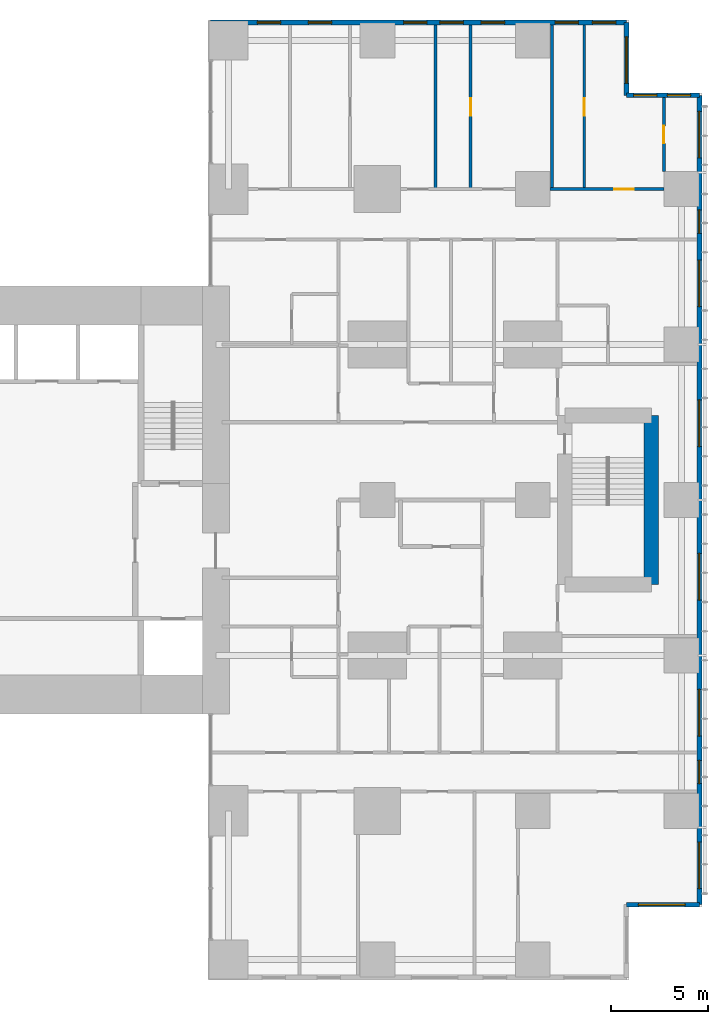
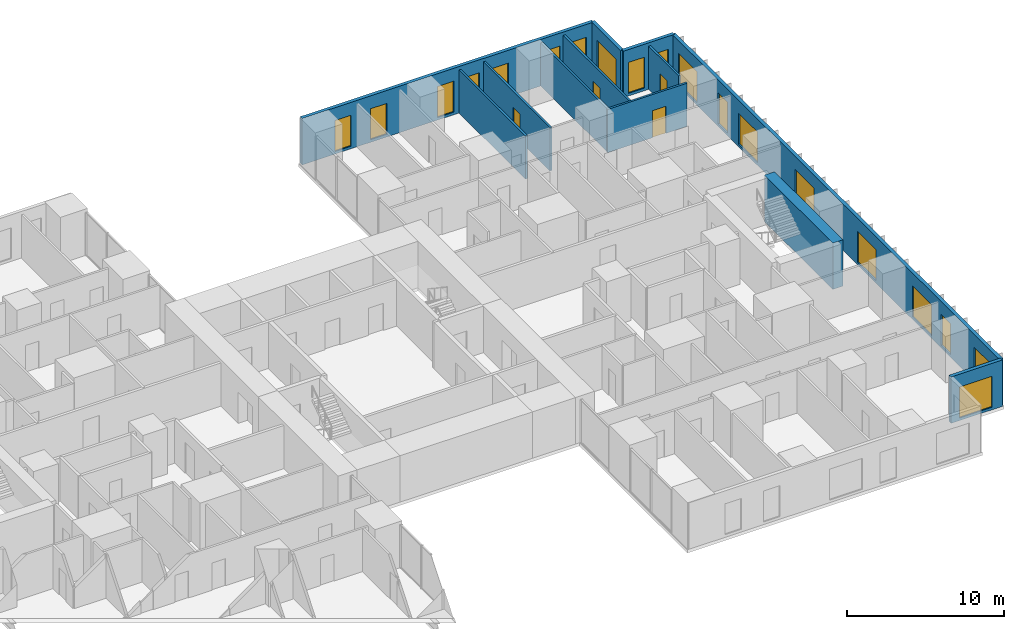
# One storey, part 18 of 20: 19 windows, 12 walls, 4 doors, 23 openings.
"""IFC4 building model written with IfcOpenShell, lengths in metres."""

from ifc_helpers import new_model, si_unit, direction, frame, frame_2d, origin, place, context, subcontext, project, spatial, rectangle, extrude, material, layer, layer_set, type_object, element, fill, save


model = new_model("IFC4")

# Units and contexts
model_context = context("Model", 3, precision=1e-05, world=origin(), true_north=direction((0.0, 1.0)))
body_context = subcontext(model_context, "Body", "Model", "MODEL_VIEW")
ifc_project = project(units=[si_unit("LENGTHUNIT", "METRE"), si_unit("AREAUNIT", "SQUARE_METRE"), si_unit("VOLUMEUNIT", "CUBIC_METRE"), si_unit("PLANEANGLEUNIT", "RADIAN"), si_unit("MASSUNIT", "GRAM", prefix="KILO")], contexts=[model_context])

# Site, building, storey
site_placement = place(None, origin())
site = spatial("IfcSite", under=ifc_project, at=site_placement, CompositionType="ELEMENT")
building_placement = place(site_placement, origin())
building = spatial("IfcBuilding", under=site, at=building_placement, Name="Cleftline Residences", CompositionType="ELEMENT")
storey_placement = place(building_placement, frame((0.0, 0.0, 211.0)))
storey = spatial("IfcBuildingStorey", under=building, at=storey_placement, Name="L55", CompositionType="ELEMENT", Elevation=211.0)

# Wall, opening, window
ifc_material_1 = material(Name="Rendered reinforced concrete blockwork", Category="masonry")
ifc_layer_1 = layer(ifc_material_1, 0.25)
ifc_layer_set_1 = layer_set([ifc_layer_1], Name="EXTERNAL WALL 250")
wall_type_1 = type_object("IfcWallType", Name="EXTERNAL WALL 250", PredefinedType="SOLIDWALL", material=ifc_layer_set_1)
wall_1_placement = place(storey_placement, frame((62.824951171875, 3.175048828125, 0.0), z_axis=(0.0, 0.0, 1.0), x_axis=(1.0, 0.0, 0.0)))
wall_1 = element("IfcWall", 1, at=wall_1_placement, inside=storey, type_object=wall_type_1, Name="External wall", PredefinedType="SOLIDWALL", context=body_context, shape_type="SweptSolid", body=[
    extrude(rectangle(XDim=3.75, YDim=0.25, at=frame_2d((1.875, 0.0))), origin(), (0.0, 0.0, 1.0), 3.60009765625),
])
opening_1_placement = place(wall_1_placement, frame((0.612548828125, 0.0, 0.199951171875)))
opening_1 = element("IfcOpeningElement", 2, at=opening_1_placement, cuts=wall_1, Name="Opening W9", PredefinedType="OPENING", context=body_context, shape_type="SweptSolid", body=[
    extrude(rectangle(XDim=2.39990234375, YDim=2.39990234375, at=frame_2d((1.199951171875, 1.199951171875))), frame((0.0, 0.135009765625, 0.0), z_axis=(0.0, -1.0, 0.0), x_axis=(1.0, 0.0, 0.0)), (0.0, 0.0, 1.0), 0.27001953125),
])
ifc_material_2 = material(Name="Aluminium frame, clear double glazing", Category="aluminium")
window_type_1 = type_object("IfcWindowType", Name="WINDOW 2400X2400", PartitioningType="DOUBLE_PANEL_VERTICAL", PredefinedType="WINDOW", material=ifc_material_2)
window_1_placement = place(opening_1_placement, origin())
window_1 = element("IfcWindow", 3, at=window_1_placement, inside=storey, type_object=window_type_1, Name="Window", OverallHeight=2.39990234375, OverallWidth=2.39990234375, PartitioningType="SINGLE_PANEL", PredefinedType="WINDOW", context=body_context, shape_type="SweptSolid", body=[
    extrude(rectangle(XDim=2.39990234375, YDim=2.39990234375, at=frame_2d((1.199951171875, 1.199951171875))), frame((0.0, 0.030029296875, 0.0), z_axis=(0.0, -1.0, 0.0), x_axis=(1.0, 0.0, 0.0)), (0.0, 0.0, 1.0), 0.06005859375),
])
fill(opening_1, window_1)

# Wall, openings, windows
wall_2_placement = place(storey_placement, frame((66.574951171875, 3.175048828125, 0.0), z_axis=(0.0, 0.0, 1.0), x_axis=(0.0, 1.0, 0.0)))
wall_2 = element("IfcWall", 4, at=wall_2_placement, inside=storey, type_object=wall_type_1, Name="External wall", PredefinedType="SOLIDWALL", context=body_context, shape_type="SweptSolid", body=[
    extrude(rectangle(XDim=41.64990234375, YDim=0.25, at=frame_2d((20.824951171875, 0.0))), origin(), (0.0, 0.0, 1.0), 3.60009765625),
])
opening_2_placement = place(wall_2_placement, frame((0.824951171875, 0.0, 0.199951171875)))
opening_2 = element("IfcOpeningElement", 5, at=opening_2_placement, cuts=wall_2, Name="Opening W9", PredefinedType="OPENING", context=body_context, shape_type="SweptSolid", body=[
    extrude(rectangle(XDim=2.39990234375, YDim=2.39990234375, at=frame_2d((1.199951171875, 1.199951171875))), frame((0.0, 0.135009765625, 0.0), z_axis=(0.0, -1.0, 0.0), x_axis=(1.0, 0.0, 0.0)), (0.0, 0.0, 1.0), 0.27001953125),
])
opening_3_placement = place(wall_2_placement, frame((6.22509765625, 0.0, 0.199951171875)))
opening_3 = element("IfcOpeningElement", 6, at=opening_3_placement, cuts=wall_2, Name="Opening W13", PredefinedType="OPENING", context=body_context, shape_type="SweptSolid", body=[
    extrude(rectangle(XDim=1.199951171875, YDim=2.39990234375, at=frame_2d((0.60009765625, 1.199951171875))), frame((0.0, 0.135009765625, 0.0), z_axis=(0.0, -1.0, 0.0), x_axis=(1.0, 0.0, 0.0)), (0.0, 0.0, 1.0), 0.27001953125),
])
opening_4_placement = place(wall_2_placement, frame((8.675048828125, 0.0, 0.199951171875)))
opening_4 = element("IfcOpeningElement", 7, at=opening_4_placement, cuts=wall_2, Name="Opening W9", PredefinedType="OPENING", context=body_context, shape_type="SweptSolid", body=[
    extrude(rectangle(XDim=2.39990234375, YDim=2.39990234375, at=frame_2d((1.199951171875, 1.199951171875))), frame((0.0, 0.135009765625, 0.0), z_axis=(0.0, -1.0, 0.0), x_axis=(1.0, 0.0, 0.0)), (0.0, 0.0, 1.0), 0.27001953125),
])
opening_5_placement = place(wall_2_placement, frame((15.675048828125, 0.0, 0.199951171875)))
opening_5 = element("IfcOpeningElement", 8, at=opening_5_placement, cuts=wall_2, Name="Opening W9", PredefinedType="OPENING", context=body_context, shape_type="SweptSolid", body=[
    extrude(rectangle(XDim=2.39990234375, YDim=2.39990234375, at=frame_2d((1.199951171875, 1.199951171875))), frame((0.0, 0.135009765625, 0.0), z_axis=(0.0, -1.0, 0.0), x_axis=(1.0, 0.0, 0.0)), (0.0, 0.0, 1.0), 0.27001953125),
])
opening_6_placement = place(wall_2_placement, frame((23.574951171875, 0.0, 0.199951171875)))
opening_6 = element("IfcOpeningElement", 9, at=opening_6_placement, cuts=wall_2, Name="Opening W9", PredefinedType="OPENING", context=body_context, shape_type="SweptSolid", body=[
    extrude(rectangle(XDim=2.39990234375, YDim=2.39990234375, at=frame_2d((1.199951171875, 1.199951171875))), frame((0.0, 0.135009765625, 0.0), z_axis=(0.0, -1.0, 0.0), x_axis=(1.0, 0.0, 0.0)), (0.0, 0.0, 1.0), 0.27001953125),
])
opening_7_placement = place(wall_2_placement, frame((30.77490234375, 0.0, 0.199951171875)))
opening_7 = element("IfcOpeningElement", 10, at=opening_7_placement, cuts=wall_2, Name="Opening W9", PredefinedType="OPENING", context=body_context, shape_type="SweptSolid", body=[
    extrude(rectangle(XDim=2.39990234375, YDim=2.39990234375, at=frame_2d((1.199951171875, 1.199951171875))), frame((0.0, 0.135009765625, 0.0), z_axis=(0.0, -1.0, 0.0), x_axis=(1.0, 0.0, 0.0)), (0.0, 0.0, 1.0), 0.27001953125),
])
opening_8_placement = place(wall_2_placement, frame((34.550048828125, 0.0, 0.199951171875)))
opening_8 = element("IfcOpeningElement", 11, at=opening_8_placement, cuts=wall_2, Name="Opening W13", PredefinedType="OPENING", context=body_context, shape_type="SweptSolid", body=[
    extrude(rectangle(XDim=1.199951171875, YDim=2.39990234375, at=frame_2d((0.60009765625, 1.199951171875))), frame((0.0, 0.135009765625, 0.0), z_axis=(0.0, -1.0, 0.0), x_axis=(1.0, 0.0, 0.0)), (0.0, 0.0, 1.0), 0.27001953125),
])
opening_9_placement = place(wall_2_placement, frame((38.425048828125, 0.0, 0.199951171875)))
opening_9 = element("IfcOpeningElement", 12, at=opening_9_placement, cuts=wall_2, Name="Opening W9", PredefinedType="OPENING", context=body_context, shape_type="SweptSolid", body=[
    extrude(rectangle(XDim=2.39990234375, YDim=2.39990234375, at=frame_2d((1.199951171875, 1.199951171875))), frame((0.0, 0.135009765625, 0.0), z_axis=(0.0, -1.0, 0.0), x_axis=(1.0, 0.0, 0.0)), (0.0, 0.0, 1.0), 0.27001953125),
])
ifc_material_3 = material(Name="Aluminium frame, clear double glazing", Category="aluminium")
window_type_2 = type_object("IfcWindowType", Name="WINDOW 1200X2400", PartitioningType="DOUBLE_PANEL_VERTICAL", PredefinedType="WINDOW", material=ifc_material_3)
window_2_placement = place(opening_3_placement, origin())
window_2 = element("IfcWindow", 13, at=window_2_placement, inside=storey, type_object=window_type_2, Name="Window", OverallHeight=2.39990234375, OverallWidth=1.199951171875, PartitioningType="SINGLE_PANEL", PredefinedType="WINDOW", context=body_context, shape_type="SweptSolid", body=[
    extrude(rectangle(XDim=1.199951171875, YDim=2.39990234375, at=frame_2d((0.60009765625, 1.199951171875))), frame((0.0, 0.030029296875, 0.0), z_axis=(0.0, -1.0, 0.0), x_axis=(1.0, 0.0, 0.0)), (0.0, 0.0, 1.0), 0.06005859375),
])
fill(opening_3, window_2)
window_3_placement = place(opening_8_placement, origin())
window_3 = element("IfcWindow", 14, at=window_3_placement, inside=storey, type_object=window_type_2, Name="Window", OverallHeight=2.39990234375, OverallWidth=1.199951171875, PartitioningType="SINGLE_PANEL", PredefinedType="WINDOW", context=body_context, shape_type="SweptSolid", body=[
    extrude(rectangle(XDim=1.199951171875, YDim=2.39990234375, at=frame_2d((0.60009765625, 1.199951171875))), frame((0.0, 0.030029296875, 0.0), z_axis=(0.0, -1.0, 0.0), x_axis=(1.0, 0.0, 0.0)), (0.0, 0.0, 1.0), 0.06005859375),
])
fill(opening_8, window_3)
window_4_placement = place(opening_2_placement, origin())
window_4 = element("IfcWindow", 15, at=window_4_placement, inside=storey, type_object=window_type_1, Name="Window", OverallHeight=2.39990234375, OverallWidth=2.39990234375, PartitioningType="SINGLE_PANEL", PredefinedType="WINDOW", context=body_context, shape_type="SweptSolid", body=[
    extrude(rectangle(XDim=2.39990234375, YDim=2.39990234375, at=frame_2d((1.199951171875, 1.199951171875))), frame((0.0, 0.030029296875, 0.0), z_axis=(0.0, -1.0, 0.0), x_axis=(1.0, 0.0, 0.0)), (0.0, 0.0, 1.0), 0.06005859375),
])
fill(opening_2, window_4)
window_5_placement = place(opening_4_placement, origin())
window_5 = element("IfcWindow", 16, at=window_5_placement, inside=storey, type_object=window_type_1, Name="Window", OverallHeight=2.39990234375, OverallWidth=2.39990234375, PartitioningType="SINGLE_PANEL", PredefinedType="WINDOW", context=body_context, shape_type="SweptSolid", body=[
    extrude(rectangle(XDim=2.39990234375, YDim=2.39990234375, at=frame_2d((1.199951171875, 1.199951171875))), frame((0.0, 0.030029296875, 0.0), z_axis=(0.0, -1.0, 0.0), x_axis=(1.0, 0.0, 0.0)), (0.0, 0.0, 1.0), 0.06005859375),
])
fill(opening_4, window_5)
window_6_placement = place(opening_5_placement, origin())
window_6 = element("IfcWindow", 17, at=window_6_placement, inside=storey, type_object=window_type_1, Name="Window", OverallHeight=2.39990234375, OverallWidth=2.39990234375, PartitioningType="SINGLE_PANEL", PredefinedType="WINDOW", context=body_context, shape_type="SweptSolid", body=[
    extrude(rectangle(XDim=2.39990234375, YDim=2.39990234375, at=frame_2d((1.199951171875, 1.199951171875))), frame((0.0, 0.030029296875, 0.0), z_axis=(0.0, -1.0, 0.0), x_axis=(1.0, 0.0, 0.0)), (0.0, 0.0, 1.0), 0.06005859375),
])
fill(opening_5, window_6)
window_7_placement = place(opening_6_placement, origin())
window_7 = element("IfcWindow", 18, at=window_7_placement, inside=storey, type_object=window_type_1, Name="Window", OverallHeight=2.39990234375, OverallWidth=2.39990234375, PartitioningType="SINGLE_PANEL", PredefinedType="WINDOW", context=body_context, shape_type="SweptSolid", body=[
    extrude(rectangle(XDim=2.39990234375, YDim=2.39990234375, at=frame_2d((1.199951171875, 1.199951171875))), frame((0.0, 0.030029296875, 0.0), z_axis=(0.0, -1.0, 0.0), x_axis=(1.0, 0.0, 0.0)), (0.0, 0.0, 1.0), 0.06005859375),
])
fill(opening_6, window_7)
window_8_placement = place(opening_7_placement, origin())
window_8 = element("IfcWindow", 19, at=window_8_placement, inside=storey, type_object=window_type_1, Name="Window", OverallHeight=2.39990234375, OverallWidth=2.39990234375, PartitioningType="SINGLE_PANEL", PredefinedType="WINDOW", context=body_context, shape_type="SweptSolid", body=[
    extrude(rectangle(XDim=2.39990234375, YDim=2.39990234375, at=frame_2d((1.199951171875, 1.199951171875))), frame((0.0, 0.030029296875, 0.0), z_axis=(0.0, -1.0, 0.0), x_axis=(1.0, 0.0, 0.0)), (0.0, 0.0, 1.0), 0.06005859375),
])
fill(opening_7, window_8)
window_9_placement = place(opening_9_placement, origin())
window_9 = element("IfcWindow", 20, at=window_9_placement, inside=storey, type_object=window_type_1, Name="Window", OverallHeight=2.39990234375, OverallWidth=2.39990234375, PartitioningType="SINGLE_PANEL", PredefinedType="WINDOW", context=body_context, shape_type="SweptSolid", body=[
    extrude(rectangle(XDim=2.39990234375, YDim=2.39990234375, at=frame_2d((1.199951171875, 1.199951171875))), frame((0.0, 0.030029296875, 0.0), z_axis=(0.0, -1.0, 0.0), x_axis=(1.0, 0.0, 0.0)), (0.0, 0.0, 1.0), 0.06005859375),
])
fill(opening_9, window_9)

wall_3_placement = place(storey_placement, frame((66.574951171875, 44.824951171875, 0.0), z_axis=(0.0, 0.0, 1.0), x_axis=(-1.0, 0.0, 0.0)))
wall_3 = element("IfcWall", 21, at=wall_3_placement, inside=storey, type_object=wall_type_1, Name="External wall", PredefinedType="SOLIDWALL", context=body_context, shape_type="SweptSolid", body=[
    extrude(rectangle(XDim=3.75, YDim=0.25, at=frame_2d((1.875, 0.0))), origin(), (0.0, 0.0, 1.0), 3.60009765625),
])
opening_10_placement = place(wall_3_placement, frame((0.449951171875, 0.0, 0.199951171875)))
opening_10 = element("IfcOpeningElement", 22, at=opening_10_placement, cuts=wall_3, Name="Opening W13", PredefinedType="OPENING", context=body_context, shape_type="SweptSolid", body=[
    extrude(rectangle(XDim=1.199951171875, YDim=2.39990234375, at=frame_2d((0.60009765625, 1.199951171875))), frame((0.0, 0.135009765625, 0.0), z_axis=(0.0, -1.0, 0.0), x_axis=(1.0, 0.0, 0.0)), (0.0, 0.0, 1.0), 0.27001953125),
])
opening_11_placement = place(wall_3_placement, frame((2.1875, 0.0, 0.199951171875)))
opening_11 = element("IfcOpeningElement", 23, at=opening_11_placement, cuts=wall_3, Name="Opening W13", PredefinedType="OPENING", context=body_context, shape_type="SweptSolid", body=[
    extrude(rectangle(XDim=1.199951171875, YDim=2.39990234375, at=frame_2d((0.60009765625, 1.199951171875))), frame((0.0, 0.135009765625, 0.0), z_axis=(0.0, -1.0, 0.0), x_axis=(1.0, 0.0, 0.0)), (0.0, 0.0, 1.0), 0.27001953125),
])
window_10_placement = place(opening_10_placement, origin())
window_10 = element("IfcWindow", 24, at=window_10_placement, inside=storey, type_object=window_type_2, Name="Window", OverallHeight=2.39990234375, OverallWidth=1.199951171875, PartitioningType="SINGLE_PANEL", PredefinedType="WINDOW", context=body_context, shape_type="SweptSolid", body=[
    extrude(rectangle(XDim=1.199951171875, YDim=2.39990234375, at=frame_2d((0.60009765625, 1.199951171875))), frame((0.0, 0.030029296875, 0.0), z_axis=(0.0, -1.0, 0.0), x_axis=(1.0, 0.0, 0.0)), (0.0, 0.0, 1.0), 0.06005859375),
])
fill(opening_10, window_10)
window_11_placement = place(opening_11_placement, origin())
window_11 = element("IfcWindow", 25, at=window_11_placement, inside=storey, type_object=window_type_2, Name="Window", OverallHeight=2.39990234375, OverallWidth=1.199951171875, PartitioningType="SINGLE_PANEL", PredefinedType="WINDOW", context=body_context, shape_type="SweptSolid", body=[
    extrude(rectangle(XDim=1.199951171875, YDim=2.39990234375, at=frame_2d((0.60009765625, 1.199951171875))), frame((0.0, 0.030029296875, 0.0), z_axis=(0.0, -1.0, 0.0), x_axis=(1.0, 0.0, 0.0)), (0.0, 0.0, 1.0), 0.06005859375),
])
fill(opening_11, window_11)

# Wall, opening, window
wall_4_placement = place(storey_placement, frame((62.824951171875, 44.824951171875, 0.0), z_axis=(0.0, 0.0, 1.0), x_axis=(0.0, 1.0, 0.0)))
wall_4 = element("IfcWall", 26, at=wall_4_placement, inside=storey, type_object=wall_type_1, Name="External wall", PredefinedType="SOLIDWALL", context=body_context, shape_type="SweptSolid", body=[
    extrude(rectangle(XDim=3.75, YDim=0.25, at=frame_2d((1.875, 0.0))), origin(), (0.0, 0.0, 1.0), 3.60009765625),
])
opening_12_placement = place(wall_4_placement, frame((0.612548828125, 0.0, 0.199951171875)))
opening_12 = element("IfcOpeningElement", 27, at=opening_12_placement, cuts=wall_4, Name="Opening W9", PredefinedType="OPENING", context=body_context, shape_type="SweptSolid", body=[
    extrude(rectangle(XDim=2.39990234375, YDim=2.39990234375, at=frame_2d((1.199951171875, 1.199951171875))), frame((0.0, 0.135009765625, 0.0), z_axis=(0.0, -1.0, 0.0), x_axis=(1.0, 0.0, 0.0)), (0.0, 0.0, 1.0), 0.27001953125),
])
window_12_placement = place(opening_12_placement, origin())
window_12 = element("IfcWindow", 28, at=window_12_placement, inside=storey, type_object=window_type_1, Name="Window", OverallHeight=2.39990234375, OverallWidth=2.39990234375, PartitioningType="SINGLE_PANEL", PredefinedType="WINDOW", context=body_context, shape_type="SweptSolid", body=[
    extrude(rectangle(XDim=2.39990234375, YDim=2.39990234375, at=frame_2d((1.199951171875, 1.199951171875))), frame((0.0, 0.030029296875, 0.0), z_axis=(0.0, -1.0, 0.0), x_axis=(1.0, 0.0, 0.0)), (0.0, 0.0, 1.0), 0.06005859375),
])
fill(opening_12, window_12)

# Wall, openings, windows
wall_5_placement = place(storey_placement, frame((62.824951171875, 48.574951171875, 0.0), z_axis=(0.0, 0.0, 1.0), x_axis=(-1.0, 0.0, 0.0)))
wall_5 = element("IfcWall", 29, at=wall_5_placement, inside=storey, type_object=wall_type_1, Name="External wall", PredefinedType="SOLIDWALL", context=body_context, shape_type="SweptSolid", body=[
    extrude(rectangle(XDim=21.39990234375, YDim=0.25, at=frame_2d((10.699951171875, 0.0))), origin(), (0.0, 0.0, 1.0), 3.60009765625),
])
opening_13_placement = place(wall_5_placement, frame((0.550048828125, 0.0, 0.199951171875)))
opening_13 = element("IfcOpeningElement", 30, at=opening_13_placement, cuts=wall_5, Name="Opening W13", PredefinedType="OPENING", context=body_context, shape_type="SweptSolid", body=[
    extrude(rectangle(XDim=1.199951171875, YDim=2.39990234375, at=frame_2d((0.60009765625, 1.199951171875))), frame((0.0, 0.135009765625, 0.0), z_axis=(0.0, -1.0, 0.0), x_axis=(1.0, 0.0, 0.0)), (0.0, 0.0, 1.0), 0.27001953125),
])
opening_14_placement = place(wall_5_placement, frame((2.47509765625, 0.0, 0.199951171875)))
opening_14 = element("IfcOpeningElement", 31, at=opening_14_placement, cuts=wall_5, Name="Opening W13", PredefinedType="OPENING", context=body_context, shape_type="SweptSolid", body=[
    extrude(rectangle(XDim=1.199951171875, YDim=2.39990234375, at=frame_2d((0.60009765625, 1.199951171875))), frame((0.0, 0.135009765625, 0.0), z_axis=(0.0, -1.0, 0.0), x_axis=(1.0, 0.0, 0.0)), (0.0, 0.0, 1.0), 0.27001953125),
])
opening_15_placement = place(wall_5_placement, frame((6.27490234375, 0.0, 0.199951171875)))
opening_15 = element("IfcOpeningElement", 32, at=opening_15_placement, cuts=wall_5, Name="Opening W13", PredefinedType="OPENING", context=body_context, shape_type="SweptSolid", body=[
    extrude(rectangle(XDim=1.199951171875, YDim=2.39990234375, at=frame_2d((0.60009765625, 1.199951171875))), frame((0.0, 0.135009765625, 0.0), z_axis=(0.0, -1.0, 0.0), x_axis=(1.0, 0.0, 0.0)), (0.0, 0.0, 1.0), 0.27001953125),
])
opening_16_placement = place(wall_5_placement, frame((8.39990234375, 0.0, 0.199951171875)))
opening_16 = element("IfcOpeningElement", 33, at=opening_16_placement, cuts=wall_5, Name="Opening W13", PredefinedType="OPENING", context=body_context, shape_type="SweptSolid", body=[
    extrude(rectangle(XDim=1.199951171875, YDim=2.39990234375, at=frame_2d((0.60009765625, 1.199951171875))), frame((0.0, 0.135009765625, 0.0), z_axis=(0.0, -1.0, 0.0), x_axis=(1.0, 0.0, 0.0)), (0.0, 0.0, 1.0), 0.27001953125),
])
opening_17_placement = place(wall_5_placement, frame((10.27490234375, 0.0, 0.199951171875)))
opening_17 = element("IfcOpeningElement", 34, at=opening_17_placement, cuts=wall_5, Name="Opening W13", PredefinedType="OPENING", context=body_context, shape_type="SweptSolid", body=[
    extrude(rectangle(XDim=1.199951171875, YDim=2.39990234375, at=frame_2d((0.60009765625, 1.199951171875))), frame((0.0, 0.135009765625, 0.0), z_axis=(0.0, -1.0, 0.0), x_axis=(1.0, 0.0, 0.0)), (0.0, 0.0, 1.0), 0.27001953125),
])
opening_18_placement = place(wall_5_placement, frame((15.175048828125, 0.0, 0.199951171875)))
opening_18 = element("IfcOpeningElement", 35, at=opening_18_placement, cuts=wall_5, Name="Opening W13", PredefinedType="OPENING", context=body_context, shape_type="SweptSolid", body=[
    extrude(rectangle(XDim=1.199951171875, YDim=2.39990234375, at=frame_2d((0.60009765625, 1.199951171875))), frame((0.0, 0.135009765625, 0.0), z_axis=(0.0, -1.0, 0.0), x_axis=(1.0, 0.0, 0.0)), (0.0, 0.0, 1.0), 0.27001953125),
])
opening_19_placement = place(wall_5_placement, frame((17.800048828125, 0.0, 0.199951171875)))
opening_19 = element("IfcOpeningElement", 36, at=opening_19_placement, cuts=wall_5, Name="Opening W13", PredefinedType="OPENING", context=body_context, shape_type="SweptSolid", body=[
    extrude(rectangle(XDim=1.199951171875, YDim=2.39990234375, at=frame_2d((0.60009765625, 1.199951171875))), frame((0.0, 0.135009765625, 0.0), z_axis=(0.0, -1.0, 0.0), x_axis=(1.0, 0.0, 0.0)), (0.0, 0.0, 1.0), 0.27001953125),
])
window_13_placement = place(opening_13_placement, origin())
window_13 = element("IfcWindow", 37, at=window_13_placement, inside=storey, type_object=window_type_2, Name="Window", OverallHeight=2.39990234375, OverallWidth=1.199951171875, PartitioningType="SINGLE_PANEL", PredefinedType="WINDOW", context=body_context, shape_type="SweptSolid", body=[
    extrude(rectangle(XDim=1.199951171875, YDim=2.39990234375, at=frame_2d((0.60009765625, 1.199951171875))), frame((0.0, 0.030029296875, 0.0), z_axis=(0.0, -1.0, 0.0), x_axis=(1.0, 0.0, 0.0)), (0.0, 0.0, 1.0), 0.06005859375),
])
fill(opening_13, window_13)
window_14_placement = place(opening_14_placement, origin())
window_14 = element("IfcWindow", 38, at=window_14_placement, inside=storey, type_object=window_type_2, Name="Window", OverallHeight=2.39990234375, OverallWidth=1.199951171875, PartitioningType="SINGLE_PANEL", PredefinedType="WINDOW", context=body_context, shape_type="SweptSolid", body=[
    extrude(rectangle(XDim=1.199951171875, YDim=2.39990234375, at=frame_2d((0.60009765625, 1.199951171875))), frame((0.0, 0.030029296875, 0.0), z_axis=(0.0, -1.0, 0.0), x_axis=(1.0, 0.0, 0.0)), (0.0, 0.0, 1.0), 0.06005859375),
])
fill(opening_14, window_14)
window_15_placement = place(opening_15_placement, origin())
window_15 = element("IfcWindow", 39, at=window_15_placement, inside=storey, type_object=window_type_2, Name="Window", OverallHeight=2.39990234375, OverallWidth=1.199951171875, PartitioningType="SINGLE_PANEL", PredefinedType="WINDOW", context=body_context, shape_type="SweptSolid", body=[
    extrude(rectangle(XDim=1.199951171875, YDim=2.39990234375, at=frame_2d((0.60009765625, 1.199951171875))), frame((0.0, 0.030029296875, 0.0), z_axis=(0.0, -1.0, 0.0), x_axis=(1.0, 0.0, 0.0)), (0.0, 0.0, 1.0), 0.06005859375),
])
fill(opening_15, window_15)
window_16_placement = place(opening_16_placement, origin())
window_16 = element("IfcWindow", 40, at=window_16_placement, inside=storey, type_object=window_type_2, Name="Window", OverallHeight=2.39990234375, OverallWidth=1.199951171875, PartitioningType="SINGLE_PANEL", PredefinedType="WINDOW", context=body_context, shape_type="SweptSolid", body=[
    extrude(rectangle(XDim=1.199951171875, YDim=2.39990234375, at=frame_2d((0.60009765625, 1.199951171875))), frame((0.0, 0.030029296875, 0.0), z_axis=(0.0, -1.0, 0.0), x_axis=(1.0, 0.0, 0.0)), (0.0, 0.0, 1.0), 0.06005859375),
])
fill(opening_16, window_16)
window_17_placement = place(opening_17_placement, origin())
window_17 = element("IfcWindow", 41, at=window_17_placement, inside=storey, type_object=window_type_2, Name="Window", OverallHeight=2.39990234375, OverallWidth=1.199951171875, PartitioningType="SINGLE_PANEL", PredefinedType="WINDOW", context=body_context, shape_type="SweptSolid", body=[
    extrude(rectangle(XDim=1.199951171875, YDim=2.39990234375, at=frame_2d((0.60009765625, 1.199951171875))), frame((0.0, 0.030029296875, 0.0), z_axis=(0.0, -1.0, 0.0), x_axis=(1.0, 0.0, 0.0)), (0.0, 0.0, 1.0), 0.06005859375),
])
fill(opening_17, window_17)
window_18_placement = place(opening_18_placement, origin())
window_18 = element("IfcWindow", 42, at=window_18_placement, inside=storey, type_object=window_type_2, Name="Window", OverallHeight=2.39990234375, OverallWidth=1.199951171875, PartitioningType="SINGLE_PANEL", PredefinedType="WINDOW", context=body_context, shape_type="SweptSolid", body=[
    extrude(rectangle(XDim=1.199951171875, YDim=2.39990234375, at=frame_2d((0.60009765625, 1.199951171875))), frame((0.0, 0.030029296875, 0.0), z_axis=(0.0, -1.0, 0.0), x_axis=(1.0, 0.0, 0.0)), (0.0, 0.0, 1.0), 0.06005859375),
])
fill(opening_18, window_18)
window_19_placement = place(opening_19_placement, origin())
window_19 = element("IfcWindow", 43, at=window_19_placement, inside=storey, type_object=window_type_2, Name="Window", OverallHeight=2.39990234375, OverallWidth=1.199951171875, PartitioningType="SINGLE_PANEL", PredefinedType="WINDOW", context=body_context, shape_type="SweptSolid", body=[
    extrude(rectangle(XDim=1.199951171875, YDim=2.39990234375, at=frame_2d((0.60009765625, 1.199951171875))), frame((0.0, 0.030029296875, 0.0), z_axis=(0.0, -1.0, 0.0), x_axis=(1.0, 0.0, 0.0)), (0.0, 0.0, 1.0), 0.06005859375),
])
fill(opening_19, window_19)

# Wall, opening, door
ifc_material_4 = material(Name="Gypsum board on steel studs", Category="steel")
ifc_layer_2 = layer(ifc_material_4, 0.14990234375)
ifc_layer_set_2 = layer_set([ifc_layer_2], Name="PARTITION 150")
wall_type_2 = type_object("IfcWallType", Name="PARTITION 150", PredefinedType="PARTITIONING", material=ifc_layer_set_2)
wall_6_placement = place(storey_placement, frame((58.89990234375, 40.0, 0.0), z_axis=(0.0, 0.0, 1.0), x_axis=(1.0, 0.0, 0.0)))
wall_6 = element("IfcWall", 44, at=wall_6_placement, inside=storey, type_object=wall_type_2, Name="Partition", PredefinedType="PARTITIONING", context=body_context, shape_type="SweptSolid", body=[
    extrude(rectangle(XDim=5.85009765625, YDim=0.14990234375, at=frame_2d((2.925048828125, 0.0))), origin(), (0.0, 0.0, 1.0), 3.35009765625),
])
opening_20_placement = place(wall_6_placement, frame((3.300048828125, 0.0, 0.0)))
opening_20 = element("IfcOpeningElement", 45, at=opening_20_placement, cuts=wall_6, Name="Opening D2", PredefinedType="OPENING", context=body_context, shape_type="SweptSolid", body=[
    extrude(rectangle(XDim=1.0, YDim=2.10009765625, at=frame_2d((0.5, 1.050048828125))), frame((0.0, 0.0849609375, 0.0), z_axis=(0.0, -1.0, 0.0), x_axis=(1.0, 0.0, 0.0)), (0.0, 0.0, 1.0), 0.169921875),
])
ifc_material_5 = material(Name="Timber veneer on solid core", Category="wood")
door_type_1 = type_object("IfcDoorType", Name="DOOR 1000X2100", OperationType="SINGLE_SWING_LEFT", PredefinedType="DOOR", material=ifc_material_5)
door_1_placement = place(opening_20_placement, origin())
door_1 = element("IfcDoor", 46, at=door_1_placement, inside=storey, type_object=door_type_1, Name="Door to bedroom 2", OperationType="SINGLE_SWING_LEFT", OverallHeight=2.10009765625, OverallWidth=1.0, PredefinedType="DOOR", context=body_context, shape_type="SweptSolid", body=[
    extrude(rectangle(XDim=1.0, YDim=2.10009765625, at=frame_2d((0.5, 1.050048828125))), frame((0.0, 0.02490234375, 0.0), z_axis=(0.0, -1.0, 0.0), x_axis=(1.0, 0.0, 0.0)), (0.0, 0.0, 1.0), 0.050048828125),
])
fill(opening_20, door_1)

# Wall
wall_7_placement = place(storey_placement, frame((53.0, 40.0, 0.0), z_axis=(0.0, 0.0, 1.0), x_axis=(0.0, 1.0, 0.0)))
element("IfcWall", 47, at=wall_7_placement, inside=storey, type_object=wall_type_2, Name="Partition", PredefinedType="PARTITIONING", context=body_context, shape_type="SweptSolid", body=[
    extrude(rectangle(XDim=8.449951171875, YDim=0.14990234375, at=frame_2d((4.22509765625, 0.0))), origin(), (0.0, 0.0, 1.0), 3.35009765625),
])

# Wall, opening, door
wall_8_placement = place(storey_placement, frame((54.800048828125, 40.0, 0.0), z_axis=(0.0, 0.0, 1.0), x_axis=(0.0, 1.0, 0.0)))
wall_8 = element("IfcWall", 48, at=wall_8_placement, inside=storey, type_object=wall_type_2, Name="Partition", PredefinedType="PARTITIONING", context=body_context, shape_type="SweptSolid", body=[
    extrude(rectangle(XDim=8.449951171875, YDim=0.14990234375, at=frame_2d((4.22509765625, 0.0))), origin(), (0.0, 0.0, 1.0), 3.35009765625),
])
opening_21_placement = place(wall_8_placement, frame((3.77490234375, 0.0, 0.0)))
opening_21 = element("IfcOpeningElement", 49, at=opening_21_placement, cuts=wall_8, Name="Opening D1", PredefinedType="OPENING", context=body_context, shape_type="SweptSolid", body=[
    extrude(rectangle(XDim=0.89990234375, YDim=2.10009765625, at=frame_2d((0.449951171875, 1.050048828125))), frame((0.0, 0.0849609375, 0.0), z_axis=(0.0, -1.0, 0.0), x_axis=(1.0, 0.0, 0.0)), (0.0, 0.0, 1.0), 0.169921875),
])
ifc_material_6 = material(Name="Timber veneer on solid core", Category="wood")
door_type_2 = type_object("IfcDoorType", Name="DOOR 900X2100", OperationType="SINGLE_SWING_LEFT", PredefinedType="DOOR", material=ifc_material_6)
door_2_placement = place(opening_21_placement, origin())
door_2 = element("IfcDoor", 50, at=door_2_placement, inside=storey, type_object=door_type_2, Name="Door to en-suite bathroom 3", OperationType="SINGLE_SWING_LEFT", OverallHeight=2.10009765625, OverallWidth=0.89990234375, PredefinedType="DOOR", context=body_context, shape_type="SweptSolid", body=[
    extrude(rectangle(XDim=0.89990234375, YDim=2.10009765625, at=frame_2d((0.449951171875, 1.050048828125))), frame((0.0, 0.02490234375, 0.0), z_axis=(0.0, -1.0, 0.0), x_axis=(1.0, 0.0, 0.0)), (0.0, 0.0, 1.0), 0.050048828125),
])
fill(opening_21, door_2)

# Wall
wall_9_placement = place(storey_placement, frame((59.0, 40.0, 0.0), z_axis=(0.0, 0.0, 1.0), x_axis=(0.0, 1.0, 0.0)))
element("IfcWall", 51, at=wall_9_placement, inside=storey, type_object=wall_type_2, Name="Partition", PredefinedType="PARTITIONING", context=body_context, shape_type="SweptSolid", body=[
    extrude(rectangle(XDim=8.449951171875, YDim=0.14990234375, at=frame_2d((4.22509765625, 0.0))), origin(), (0.0, 0.0, 1.0), 3.35009765625),
])

# Wall, opening, door
wall_10_placement = place(storey_placement, frame((60.64990234375, 40.0, 0.0), z_axis=(0.0, 0.0, 1.0), x_axis=(0.0, 1.0, 0.0)))
wall_10 = element("IfcWall", 52, at=wall_10_placement, inside=storey, type_object=wall_type_2, Name="Partition", PredefinedType="PARTITIONING", context=body_context, shape_type="SweptSolid", body=[
    extrude(rectangle(XDim=8.449951171875, YDim=0.14990234375, at=frame_2d((4.22509765625, 0.0))), origin(), (0.0, 0.0, 1.0), 3.35009765625),
])
opening_22_placement = place(wall_10_placement, frame((3.77490234375, 0.0, 0.0)))
opening_22 = element("IfcOpeningElement", 53, at=opening_22_placement, cuts=wall_10, Name="Opening D1", PredefinedType="OPENING", context=body_context, shape_type="SweptSolid", body=[
    extrude(rectangle(XDim=0.89990234375, YDim=2.10009765625, at=frame_2d((0.449951171875, 1.050048828125))), frame((0.0, 0.0849609375, 0.0), z_axis=(0.0, -1.0, 0.0), x_axis=(1.0, 0.0, 0.0)), (0.0, 0.0, 1.0), 0.169921875),
])
door_3_placement = place(opening_22_placement, origin())
door_3 = element("IfcDoor", 54, at=door_3_placement, inside=storey, type_object=door_type_2, Name="Door to walk-in wardrobe", OperationType="SINGLE_SWING_LEFT", OverallHeight=2.10009765625, OverallWidth=0.89990234375, PredefinedType="DOOR", context=body_context, shape_type="SweptSolid", body=[
    extrude(rectangle(XDim=0.89990234375, YDim=2.10009765625, at=frame_2d((0.449951171875, 1.050048828125))), frame((0.0, 0.02490234375, 0.0), z_axis=(0.0, -1.0, 0.0), x_axis=(1.0, 0.0, 0.0)), (0.0, 0.0, 1.0), 0.050048828125),
])
fill(opening_22, door_3)

wall_11_placement = place(storey_placement, frame((64.75, 40.89990234375, 0.0), z_axis=(0.0, 0.0, 1.0), x_axis=(0.0, 1.0, 0.0)))
wall_11 = element("IfcWall", 55, at=wall_11_placement, inside=storey, type_object=wall_type_2, Name="Partition", PredefinedType="PARTITIONING", context=body_context, shape_type="SweptSolid", body=[
    extrude(rectangle(XDim=3.800048828125, YDim=0.14990234375, at=frame_2d((1.89990234375, 0.0))), origin(), (0.0, 0.0, 1.0), 3.35009765625),
])
opening_23_placement = place(wall_11_placement, frame((1.449951171875, 0.0, 0.0)))
opening_23 = element("IfcOpeningElement", 56, at=opening_23_placement, cuts=wall_11, Name="Opening D1", PredefinedType="OPENING", context=body_context, shape_type="SweptSolid", body=[
    extrude(rectangle(XDim=0.89990234375, YDim=2.10009765625, at=frame_2d((0.449951171875, 1.050048828125))), frame((0.0, 0.0849609375, 0.0), z_axis=(0.0, -1.0, 0.0), x_axis=(1.0, 0.0, 0.0)), (0.0, 0.0, 1.0), 0.169921875),
])
door_4_placement = place(opening_23_placement, origin())
door_4 = element("IfcDoor", 57, at=door_4_placement, inside=storey, type_object=door_type_2, Name="Door to music room", OperationType="SINGLE_SWING_LEFT", OverallHeight=2.10009765625, OverallWidth=0.89990234375, PredefinedType="DOOR", context=body_context, shape_type="SweptSolid", body=[
    extrude(rectangle(XDim=0.89990234375, YDim=2.10009765625, at=frame_2d((0.449951171875, 1.050048828125))), frame((0.0, 0.02490234375, 0.0), z_axis=(0.0, -1.0, 0.0), x_axis=(1.0, 0.0, 0.0)), (0.0, 0.0, 1.0), 0.050048828125),
])
fill(opening_23, door_4)

# Wall
ifc_material_7 = material(Name="Concrete B70", Category="concrete")
ifc_layer_3 = layer(ifc_material_7, 0.75)
ifc_layer_set_3 = layer_set([ifc_layer_3], Name="SHEAR WALL 750")
wall_type_3 = type_object("IfcWallType", Name="SHEAR WALL 750", PredefinedType="SHEAR", material=ifc_layer_set_3)
wall_12_placement = place(storey_placement, frame((64.10009765625, 19.64990234375, 0.0), z_axis=(0.0, 0.0, 1.0), x_axis=(0.0, 1.0, 0.0)))
element("IfcWall", 58, at=wall_12_placement, inside=storey, type_object=wall_type_3, Name="Wing shear wall", PredefinedType="SHEAR", context=body_context, shape_type="SweptSolid", body=[
    extrude(rectangle(XDim=8.7001953125, YDim=0.75, at=frame_2d((4.35009765625, 0.0))), origin(), (0.0, 0.0, 1.0), 3.60009765625),
])

save(model, "model.ifc")
